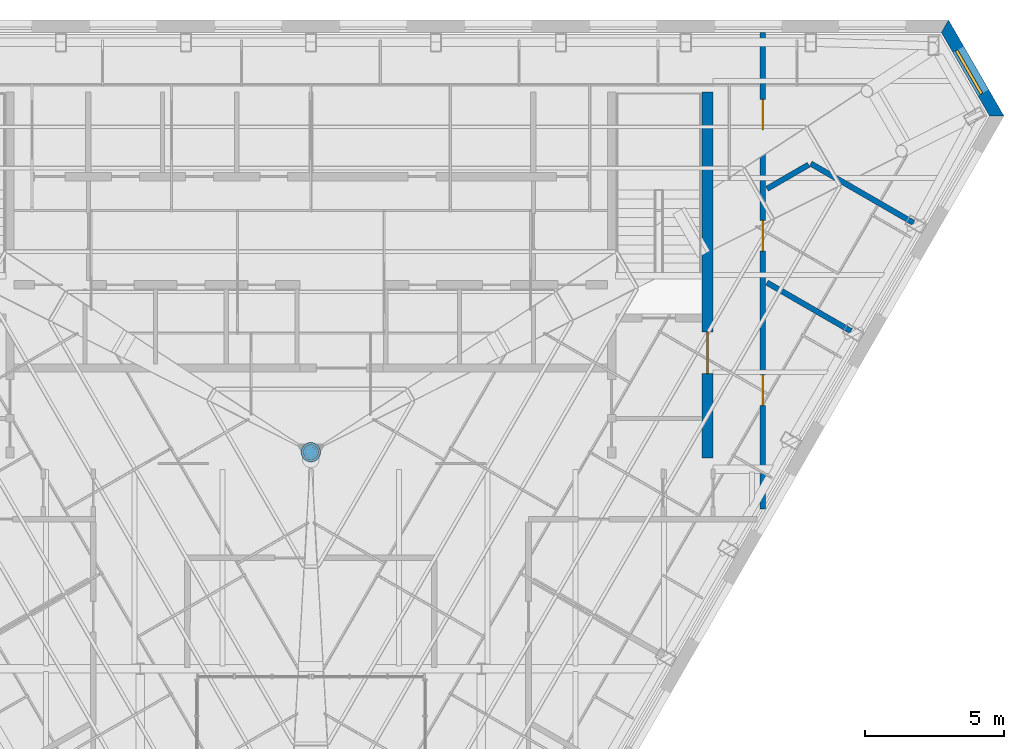
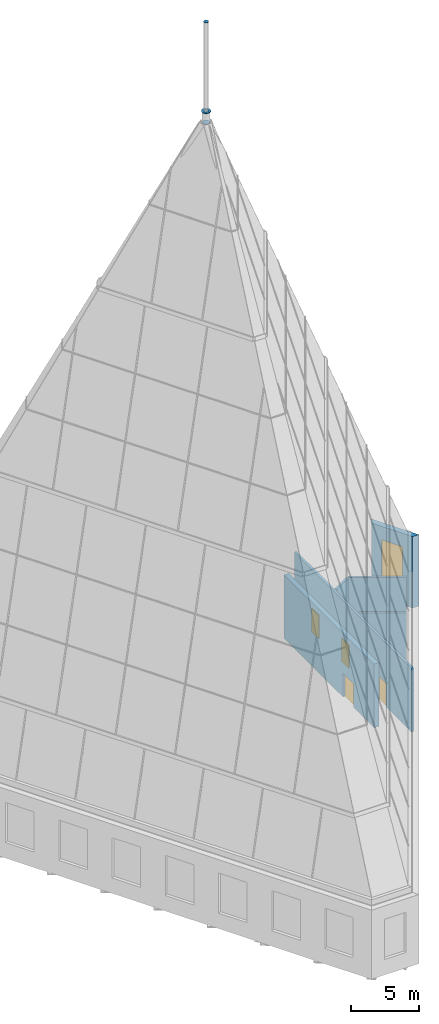
# One storey, part 33 of 36: 6 walls, 4 discrete accessories, 4 doors, 1 shading device, 5 openings.
"""IFC4 building model written with IfcOpenShell, lengths in metres."""

from ifc_helpers import new_model, si_unit, direction, frame, frame_2d, origin, place, context, subcontext, project, spatial, polyline, rectangle, outline, extrude, material, layer, layer_set, type_object, element, fill, save


model = new_model("IFC4")

# Units and contexts
model_context = context("Model", 3, precision=1e-05, world=origin(), true_north=direction((0.0, 1.0)))
body_context = subcontext(model_context, "Body", "Model", "MODEL_VIEW")
ifc_project = project(units=[si_unit("LENGTHUNIT", "METRE"), si_unit("AREAUNIT", "SQUARE_METRE"), si_unit("VOLUMEUNIT", "CUBIC_METRE"), si_unit("PLANEANGLEUNIT", "RADIAN"), si_unit("MASSUNIT", "GRAM", prefix="KILO")], contexts=[model_context])

# Site, building, storey
site_placement = place(None, origin())
site = spatial("IfcSite", under=ifc_project, at=site_placement, CompositionType="ELEMENT")
building_placement = place(site_placement, origin())
building = spatial("IfcBuilding", under=site, at=building_placement, Name="Njiva Tower", CompositionType="ELEMENT")
storey_placement = place(building_placement, frame((0.0, 0.0, 337.8)))
storey = spatial("IfcBuildingStorey", under=building, at=storey_placement, Name="L77", CompositionType="ELEMENT", Elevation=337.8)

# Wall, opening, door
ifc_material_1 = material(Name="Concrete C60/75", Category="concrete")
ifc_layer_1 = layer(ifc_material_1, 0.4)
ifc_layer_set_1 = layer_set([ifc_layer_1], Name="Concrete C60/75")
wall_type_1 = type_object("IfcWallType", Name="WT11 Core wall 400", PredefinedType="SHEAR", material=ifc_layer_set_1)
wall_1_placement = place(storey_placement, frame((14.3, 4.4, 0.0), z_axis=(0.0, 0.0, 1.0), x_axis=(0.0, 1.0, 0.0)))
wall_1 = element("IfcWall", 1, at=wall_1_placement, inside=storey, type_object=wall_type_1, Name="Core wall east", PredefinedType="SHEAR", context=body_context, shape_type="SweptSolid", body=[
    extrude(rectangle(XDim=13.2, YDim=0.4, at=frame_2d((6.6, 0.0))), origin(), (0.0, 0.0, 1.0), 5.7),
])
opening_1_placement = place(wall_1_placement, frame((3.05, 0.0, 0.0)))
opening_1 = element("IfcOpeningElement", 2, at=opening_1_placement, cuts=wall_1, Name="Opening CR-D922", PredefinedType="OPENING", context=body_context, shape_type="SweptSolid", body=[
    extrude(rectangle(XDim=1.5, YDim=2.1, at=frame_2d((0.75, 1.05))), frame((0.0, 0.21, 0.0), z_axis=(0.0, -1.0, 0.0), x_axis=(1.0, 0.0, 0.0)), (0.0, 0.0, 1.0), 0.42),
])
ifc_material_2 = material(Name="Glazed steel fire door", Category="steel")
door_type_1 = type_object("IfcDoorType", Name="D10 Exit door double 1500x2100 glazed", OperationType="DOUBLE_DOOR_SINGLE_SWING", PredefinedType="DOOR", material=ifc_material_2)
door_1_placement = place(opening_1_placement, origin())
door_1 = element("IfcDoor", 3, at=door_1_placement, inside=storey, type_object=door_type_1, Name="Stair B corridor door", OperationType="DOUBLE_DOOR_SINGLE_SWING", OverallHeight=2.1, OverallWidth=1.5, PredefinedType="DOOR", context=body_context, shape_type="SweptSolid", body=[
    extrude(rectangle(XDim=1.5, YDim=2.1, at=frame_2d((0.75, 1.05))), frame((0.0, 0.025, 0.0), z_axis=(0.0, -1.0, 0.0), x_axis=(1.0, 0.0, 0.0)), (0.0, 0.0, 1.0), 0.05),
])
fill(opening_1, door_1)

# Wall, openings, doors
ifc_material_3 = material(Name="Blockwork", Category="masonry")
ifc_layer_2 = layer(ifc_material_3, 0.2)
ifc_layer_set_2 = layer_set([ifc_layer_2], Name="Blockwork")
wall_type_2 = type_object("IfcWallType", Name="WT22 Plant room wall 200", PredefinedType="PARTITIONING", material=ifc_layer_set_2)
wall_2_placement = place(storey_placement, frame((16.3, 2.568, 0.0), z_axis=(0.0, 0.0, 1.0), x_axis=(0.0, 1.0, 0.0)))
wall_2 = element("IfcWall", 4, at=wall_2_placement, inside=storey, type_object=wall_type_2, Name="Partition CR-P024", PredefinedType="PARTITIONING", context=body_context, shape_type="SweptSolid", body=[
    extrude(rectangle(XDim=17.18, YDim=0.2, at=frame_2d((8.59, 0.0))), origin(), (0.0, 0.0, 1.0), 5.7),
])
opening_2_placement = place(wall_2_placement, frame((3.725, 0.0, 0.0)))
opening_2 = element("IfcOpeningElement", 5, at=opening_2_placement, cuts=wall_2, Name="Opening CR-D016", PredefinedType="OPENING", context=body_context, shape_type="SweptSolid", body=[
    extrude(rectangle(XDim=1.1, YDim=2.1, at=frame_2d((0.55, 1.05))), frame((0.0, 0.11, 0.0), z_axis=(0.0, -1.0, 0.0), x_axis=(1.0, 0.0, 0.0)), (0.0, 0.0, 1.0), 0.22),
])
opening_3_placement = place(wall_2_placement, frame((9.302, 0.0, 0.0)))
opening_3 = element("IfcOpeningElement", 6, at=opening_3_placement, cuts=wall_2, Name="Opening CR-D017", PredefinedType="OPENING", context=body_context, shape_type="SweptSolid", body=[
    extrude(rectangle(XDim=1.1, YDim=2.1, at=frame_2d((0.55, 1.05))), frame((0.0, 0.11, 0.0), z_axis=(0.0, -1.0, 0.0), x_axis=(1.0, 0.0, 0.0)), (0.0, 0.0, 1.0), 0.22),
])
opening_4_placement = place(wall_2_placement, frame((13.668, 0.0, 0.0)))
opening_4 = element("IfcOpeningElement", 7, at=opening_4_placement, cuts=wall_2, Name="Opening CR-D018", PredefinedType="OPENING", context=body_context, shape_type="SweptSolid", body=[
    extrude(rectangle(XDim=1.1, YDim=2.1, at=frame_2d((0.55, 1.05))), frame((0.0, 0.11, 0.0), z_axis=(0.0, -1.0, 0.0), x_axis=(1.0, 0.0, 0.0)), (0.0, 0.0, 1.0), 0.22),
])
ifc_material_4 = material(Name="Steel door set", Category="steel")
door_type_2 = type_object("IfcDoorType", Name="D34 Plant door 1100x2100", OperationType="SINGLE_SWING_LEFT", PredefinedType="DOOR", material=ifc_material_4)
door_2_placement = place(opening_2_placement, origin())
door_2 = element("IfcDoor", 8, at=door_2_placement, inside=storey, type_object=door_type_2, Name="Door CR-D016", OperationType="SINGLE_SWING_LEFT", OverallHeight=2.1, OverallWidth=1.1, PredefinedType="DOOR", context=body_context, shape_type="SweptSolid", body=[
    extrude(rectangle(XDim=1.1, YDim=2.1, at=frame_2d((0.55, 1.05))), frame((0.0, 0.025, 0.0), z_axis=(0.0, -1.0, 0.0), x_axis=(1.0, 0.0, 0.0)), (0.0, 0.0, 1.0), 0.05),
])
fill(opening_2, door_2)
door_3_placement = place(opening_3_placement, origin())
door_3 = element("IfcDoor", 9, at=door_3_placement, inside=storey, type_object=door_type_2, Name="Door CR-D017", OperationType="SINGLE_SWING_RIGHT", OverallHeight=2.1, OverallWidth=1.1, PredefinedType="DOOR", context=body_context, shape_type="SweptSolid", body=[
    extrude(rectangle(XDim=1.1, YDim=2.1, at=frame_2d((0.55, 1.05))), frame((0.0, 0.025, 0.0), z_axis=(0.0, -1.0, 0.0), x_axis=(1.0, 0.0, 0.0)), (0.0, 0.0, 1.0), 0.05),
])
fill(opening_3, door_3)
door_4_placement = place(opening_4_placement, origin())
door_4 = element("IfcDoor", 10, at=door_4_placement, inside=storey, type_object=door_type_2, Name="Door CR-D018", OperationType="SINGLE_SWING_RIGHT", OverallHeight=2.1, OverallWidth=1.1, PredefinedType="DOOR", context=body_context, shape_type="SweptSolid", body=[
    extrude(rectangle(XDim=1.1, YDim=2.1, at=frame_2d((0.55, 1.05))), frame((0.0, 0.025, 0.0), z_axis=(0.0, -1.0, 0.0), x_axis=(1.0, 0.0, 0.0)), (0.0, 0.0, 1.0), 0.05),
])
fill(opening_4, door_4)

# Walls
wall_3_placement = place(storey_placement, frame((16.45, 14.112, 0.0), z_axis=(0.0, 0.0, 1.0), x_axis=(0.866108878364, 0.499855389907, 0.0)))
element("IfcWall", 11, at=wall_3_placement, inside=storey, type_object=wall_type_2, Name="Partition CR-P025", PredefinedType="PARTITIONING", context=body_context, shape_type="SweptSolid", body=[
    extrude(rectangle(XDim=1.7365, YDim=0.2, at=frame_2d((0.8682, 0.0))), origin(), (0.0, 0.0, 1.0), 5.7),
])
wall_4_placement = place(storey_placement, frame((16.45, 10.729, 0.0), z_axis=(0.0, 0.0, 1.0), x_axis=(0.86609045941, -0.499887303419, 0.0)))
element("IfcWall", 12, at=wall_4_placement, inside=storey, type_object=wall_type_2, Name="Partition CR-P026", PredefinedType="PARTITIONING", context=body_context, shape_type="SweptSolid", body=[
    extrude(rectangle(XDim=3.5008, YDim=0.2, at=frame_2d((1.7504, 0.0))), origin(), (0.0, 0.0, 1.0), 5.7),
])
wall_5_placement = place(storey_placement, frame((18.03, 15.022, 0.0), z_axis=(0.0, 0.0, 1.0), x_axis=(0.866092194679, -0.499884296929, 0.0)))
element("IfcWall", 13, at=wall_5_placement, inside=storey, type_object=wall_type_2, Name="Partition CR-P027", PredefinedType="PARTITIONING", context=body_context, shape_type="SweptSolid", body=[
    extrude(rectangle(XDim=4.279, YDim=0.2, at=frame_2d((2.1395, 0.0))), origin(), (0.0, 0.0, 1.0), 5.7),
])

# Wall, opening, shading device
ifc_material_5 = material(Name="Brick masonry, buff", Category="masonry")
ifc_layer_3 = layer(ifc_material_5, 0.45)
ifc_layer_set_3 = layer_set([ifc_layer_3], Name="Brick masonry, buff")
wall_type_3 = type_object("IfcWallType", Name="WT94 Brick pier and spandrel wall 450, buff", PredefinedType="SOLIDWALL", material=ifc_layer_set_3)
wall_6_placement = place(storey_placement, frame((24.7402, 16.7359, -0.4), z_axis=(0.0, 0.0, 1.0), x_axis=(-0.500000951101, 0.866024854666, 0.0)))
wall_6 = element("IfcWall", 14, at=wall_6_placement, inside=storey, type_object=wall_type_3, Name="Facade wall NE", PredefinedType="SOLIDWALL", context=body_context, shape_type="SweptSolid", body=[
    extrude(outline(polyline([(-0.1299, -0.225), (3.8701, -0.225), (3.6103, 0.225), (0.1299, 0.225), (-0.1299, -0.225)])), origin(), (0.0, 0.0, 1.0), 6.4),
])
opening_5_placement = place(wall_6_placement, frame((0.9701, 0.0, 1.6)))
opening_5 = element("IfcOpeningElement", 15, at=opening_5_placement, cuts=wall_6, Name="Opening CR-LV33", PredefinedType="OPENING", context=body_context, shape_type="SweptSolid", body=[
    extrude(rectangle(XDim=1.8, YDim=3.6, at=frame_2d((0.9, 1.8))), frame((0.0, 0.235, 0.0), z_axis=(0.0, -1.0, 0.0), x_axis=(1.0, 0.0, 0.0)), (0.0, 0.0, 1.0), 0.47),
])
ifc_material_6 = material(Name="Aluminium louvre blades", Category="aluminium")
shading_device_type = type_object("IfcShadingDeviceType", Name="LV2 Plant louvre 1800x3600", PredefinedType="JALOUSIE", material=ifc_material_6)
shading_device_placement = place(opening_5_placement, origin())
shading_device = element("IfcShadingDevice", 16, at=shading_device_placement, inside=storey, type_object=shading_device_type, Name="Plant louvre", PredefinedType="JALOUSIE", context=body_context, shape_type="SweptSolid", body=[
    extrude(rectangle(XDim=1.8, YDim=3.6, at=frame_2d((0.9, 1.8))), frame((0.0, 0.125, 0.0), z_axis=(0.0, -1.0, 0.0), x_axis=(1.0, 0.0, 0.0)), (0.0, 0.0, 1.0), 0.1),
])
fill(opening_5, shading_device)

# Discrete accessories
ifc_material_7 = material(Name="Steel S355 J2", Category="steel")
ifc_layer_4 = layer(ifc_material_7, 0.03)
ifc_layer_set_4 = layer_set([ifc_layer_4], Name="Steel S355 J2")
discrete_accessory_type_1 = type_object("IfcDiscreteAccessoryType", Name="CP1 Column end cap plate 30", PredefinedType="USERDEFINED", material=ifc_layer_set_4)
discrete_accessory_1_placement = place(storey_placement, frame((0.0, 4.6115, 68.0)))
element("IfcDiscreteAccessory", 17, at=discrete_accessory_1_placement, inside=storey, type_object=discrete_accessory_type_1, Name="Column end cap plate CR-CP01", ObjectType="END PLATE", PredefinedType="USERDEFINED", context=body_context, shape_type="SweptSolid", body=[
    extrude(outline(polyline([(0.1778, 0.0), (0.1751, 0.0309), (0.1671, 0.0609), (0.154, 0.0889), (0.1362, 0.1143), (0.1143, 0.1362), (0.0889, 0.154), (0.0608, 0.1671), (0.0309, 0.1751), (0.0, 0.1778), (-0.0309, 0.1751), (-0.0608, 0.1671), (-0.0889, 0.154), (-0.1143, 0.1362), (-0.1362, 0.1143), (-0.154, 0.0889), (-0.1671, 0.0609), (-0.1751, 0.0309), (-0.1778, 0.0), (-0.1751, -0.0308), (-0.1671, -0.0608), (-0.154, -0.0889), (-0.1362, -0.1142), (-0.1143, -0.1362), (-0.0889, -0.1539), (-0.0608, -0.167), (-0.0309, -0.1751), (0.0, -0.1778), (0.0309, -0.1751), (0.0608, -0.167), (0.0889, -0.1539), (0.1143, -0.1362), (0.1362, -0.1142), (0.154, -0.0889), (0.1671, -0.0608), (0.1751, -0.0308), (0.1778, 0.0)])), origin(), (0.0, 0.0, 1.0), 0.03),
])
ifc_layer_5 = layer(ifc_material_7, 0.02)
ifc_layer_set_5 = layer_set([ifc_layer_5], Name="Steel S355 J2")
discrete_accessory_type_2 = type_object("IfcDiscreteAccessoryType", Name="DP1 Spire diaphragm plate at the hips 20", PredefinedType="USERDEFINED", material=ifc_layer_set_5)
discrete_accessory_2_placement = place(storey_placement, frame((0.0, 4.6115, 58.997)))
element("IfcDiscreteAccessory", 18, at=discrete_accessory_2_placement, inside=storey, type_object=discrete_accessory_type_2, Name="Spire diaphragm plate at the hips CR-DP01", ObjectType="DIAPHRAGM PLATE", PredefinedType="USERDEFINED", context=body_context, shape_type="SweptSolid", body=[
    extrude(outline(polyline([(0.278, 0.0), (0.2769, 0.0243), (0.2738, 0.0483), (0.2685, 0.072), (0.2612, 0.0951), (0.252, 0.1175), (0.2408, 0.139), (0.2277, 0.1595), (0.213, 0.1787), (0.1966, 0.1966), (0.1787, 0.213), (0.1595, 0.2278), (0.139, 0.2408), (0.1175, 0.252), (0.0951, 0.2613), (0.072, 0.2686), (0.0483, 0.2738), (0.0242, 0.277), (0.0, 0.278), (-0.0242, 0.277), (-0.0483, 0.2738), (-0.072, 0.2686), (-0.0951, 0.2613), (-0.1175, 0.252), (-0.139, 0.2408), (-0.1595, 0.2278), (-0.1787, 0.213), (-0.1966, 0.1966), (-0.213, 0.1787), (-0.2277, 0.1595), (-0.2408, 0.139), (-0.252, 0.1175), (-0.2612, 0.0951), (-0.2685, 0.072), (-0.2738, 0.0483), (-0.2769, 0.0243), (-0.278, 0.0), (-0.2769, -0.0242), (-0.2738, -0.0482), (-0.2685, -0.0719), (-0.2612, -0.095), (-0.252, -0.1174), (-0.2408, -0.139), (-0.2277, -0.1594), (-0.213, -0.1787), (-0.1966, -0.1965), (-0.1787, -0.2129), (-0.1595, -0.2277), (-0.139, -0.2407), (-0.1175, -0.2519), (-0.0951, -0.2612), (-0.072, -0.2685), (-0.0483, -0.2737), (-0.0242, -0.2769), (0.0, -0.278), (0.0242, -0.2769), (0.0483, -0.2737), (0.072, -0.2685), (0.0951, -0.2612), (0.1175, -0.2519), (0.139, -0.2407), (0.1595, -0.2277), (0.1787, -0.2129), (0.1966, -0.1965), (0.213, -0.1787), (0.2277, -0.1594), (0.2408, -0.139), (0.252, -0.1174), (0.2612, -0.095), (0.2685, -0.0719), (0.2738, -0.0482), (0.2769, -0.0242), (0.278, 0.0)])), origin(), (0.0, 0.0, 1.0), 0.02),
])
ifc_layer_6 = layer(ifc_material_7, 0.03)
ifc_layer_set_6 = layer_set([ifc_layer_6], Name="Steel S355 J2")
discrete_accessory_type_3 = type_object("IfcDiscreteAccessoryType", Name="DP2 Spire diaphragm plate under the flange 30", PredefinedType="USERDEFINED", material=ifc_layer_set_6)
discrete_accessory_3_placement = place(storey_placement, frame((0.0, 4.6115, 59.97)))
element("IfcDiscreteAccessory", 19, at=discrete_accessory_3_placement, inside=storey, type_object=discrete_accessory_type_3, Name="Spire diaphragm plate under the flange CR-DP02", ObjectType="DIAPHRAGM PLATE", PredefinedType="USERDEFINED", context=body_context, shape_type="SweptSolid", body=[
    extrude(outline(polyline([(0.278, 0.0), (0.2769, 0.0243), (0.2738, 0.0483), (0.2685, 0.072), (0.2612, 0.0951), (0.252, 0.1175), (0.2408, 0.139), (0.2277, 0.1595), (0.213, 0.1787), (0.1966, 0.1966), (0.1787, 0.213), (0.1595, 0.2278), (0.139, 0.2408), (0.1175, 0.252), (0.0951, 0.2613), (0.072, 0.2686), (0.0483, 0.2738), (0.0242, 0.277), (0.0, 0.278), (-0.0242, 0.277), (-0.0483, 0.2738), (-0.072, 0.2686), (-0.0951, 0.2613), (-0.1175, 0.252), (-0.139, 0.2408), (-0.1595, 0.2278), (-0.1787, 0.213), (-0.1966, 0.1966), (-0.213, 0.1787), (-0.2277, 0.1595), (-0.2408, 0.139), (-0.252, 0.1175), (-0.2612, 0.0951), (-0.2685, 0.072), (-0.2738, 0.0483), (-0.2769, 0.0243), (-0.278, 0.0), (-0.2769, -0.0242), (-0.2738, -0.0482), (-0.2685, -0.0719), (-0.2612, -0.095), (-0.252, -0.1174), (-0.2408, -0.139), (-0.2277, -0.1594), (-0.213, -0.1787), (-0.1966, -0.1965), (-0.1787, -0.2129), (-0.1595, -0.2277), (-0.139, -0.2407), (-0.1175, -0.2519), (-0.0951, -0.2612), (-0.072, -0.2685), (-0.0483, -0.2737), (-0.0242, -0.2769), (0.0, -0.278), (0.0242, -0.2769), (0.0483, -0.2737), (0.072, -0.2685), (0.0951, -0.2612), (0.1175, -0.2519), (0.139, -0.2407), (0.1595, -0.2277), (0.1787, -0.2129), (0.1966, -0.1965), (0.213, -0.1787), (0.2277, -0.1594), (0.2408, -0.139), (0.252, -0.1174), (0.2612, -0.095), (0.2685, -0.0719), (0.2738, -0.0482), (0.2769, -0.0242), (0.278, 0.0)])), origin(), (0.0, 0.0, 1.0), 0.03),
])
ifc_layer_7 = layer(ifc_material_7, 0.04)
ifc_layer_set_7 = layer_set([ifc_layer_7], Name="Steel S355 J2")
discrete_accessory_type_4 = type_object("IfcDiscreteAccessoryType", Name="FP1 Spire flange plate 40", PredefinedType="USERDEFINED", material=ifc_layer_set_7)
discrete_accessory_4_placement = place(storey_placement, frame((0.0, 4.6115, 60.0)))
element("IfcDiscreteAccessory", 20, at=discrete_accessory_4_placement, inside=storey, type_object=discrete_accessory_type_4, Name="Spire flange plate CR-FP01", ObjectType="FLANGE PLATE", PredefinedType="USERDEFINED", context=body_context, shape_type="SweptSolid", body=[
    extrude(outline(polyline([(0.35, 0.0), (0.3487, 0.0305), (0.3447, 0.0608), (0.3381, 0.0906), (0.3289, 0.1197), (0.3172, 0.148), (0.3031, 0.175), (0.2867, 0.2008), (0.2681, 0.225), (0.2475, 0.2475), (0.225, 0.2682), (0.2008, 0.2867), (0.175, 0.3032), (0.1479, 0.3173), (0.1197, 0.3289), (0.0906, 0.3381), (0.0608, 0.3447), (0.0305, 0.3487), (0.0, 0.35), (-0.0305, 0.3487), (-0.0608, 0.3447), (-0.0906, 0.3381), (-0.1197, 0.3289), (-0.1479, 0.3173), (-0.175, 0.3032), (-0.2008, 0.2867), (-0.225, 0.2682), (-0.2475, 0.2475), (-0.2681, 0.225), (-0.2867, 0.2008), (-0.3031, 0.175), (-0.3172, 0.148), (-0.3289, 0.1197), (-0.3381, 0.0906), (-0.3447, 0.0608), (-0.3487, 0.0305), (-0.35, 0.0), (-0.3487, -0.0305), (-0.3447, -0.0607), (-0.3381, -0.0905), (-0.3289, -0.1197), (-0.3172, -0.1479), (-0.3031, -0.175), (-0.2867, -0.2007), (-0.2681, -0.2249), (-0.2475, -0.2474), (-0.225, -0.2681), (-0.2008, -0.2867), (-0.175, -0.3031), (-0.1479, -0.3172), (-0.1197, -0.3288), (-0.0906, -0.338), (-0.0608, -0.3446), (-0.0305, -0.3486), (0.0, -0.35), (0.0305, -0.3486), (0.0608, -0.3446), (0.0906, -0.338), (0.1197, -0.3288), (0.1479, -0.3172), (0.175, -0.3031), (0.2008, -0.2867), (0.225, -0.2681), (0.2475, -0.2474), (0.2681, -0.2249), (0.2867, -0.2007), (0.3031, -0.175), (0.3172, -0.1479), (0.3289, -0.1197), (0.3381, -0.0905), (0.3447, -0.0607), (0.3487, -0.0305), (0.35, 0.0)]), holes=[polyline([(0.178, 0.0), (0.1773, 0.0156), (0.1753, 0.0309), (0.1719, 0.0461), (0.1672, 0.0609), (0.1613, 0.0753), (0.1541, 0.089), (0.1458, 0.1021), (0.1363, 0.1144), (0.1258, 0.1259), (0.1144, 0.1364), (0.1021, 0.1458), (0.089, 0.1542), (0.0752, 0.1613), (0.0609, 0.1673), (0.0461, 0.1719), (0.0309, 0.1753), (0.0155, 0.1773), (0.0, 0.178), (-0.0155, 0.1773), (-0.0309, 0.1753), (-0.0461, 0.1719), (-0.0609, 0.1673), (-0.0752, 0.1613), (-0.089, 0.1542), (-0.1021, 0.1458), (-0.1144, 0.1364), (-0.1258, 0.1259), (-0.1363, 0.1144), (-0.1458, 0.1021), (-0.1541, 0.089), (-0.1613, 0.0753), (-0.1672, 0.0609), (-0.1719, 0.0461), (-0.1753, 0.0309), (-0.1773, 0.0156), (-0.178, 0.0), (-0.1773, -0.0155), (-0.1753, -0.0309), (-0.1719, -0.046), (-0.1672, -0.0608), (-0.1613, -0.0752), (-0.1541, -0.0889), (-0.1458, -0.102), (-0.1363, -0.1144), (-0.1258, -0.1258), (-0.1144, -0.1363), (-0.1021, -0.1457), (-0.089, -0.1541), (-0.0752, -0.1613), (-0.0609, -0.1672), (-0.0461, -0.1719), (-0.0309, -0.1752), (-0.0155, -0.1772), (0.0, -0.1779), (0.0155, -0.1772), (0.0309, -0.1752), (0.0461, -0.1719), (0.0609, -0.1672), (0.0752, -0.1613), (0.089, -0.1541), (0.1021, -0.1457), (0.1144, -0.1363), (0.1258, -0.1258), (0.1363, -0.1144), (0.1458, -0.102), (0.1541, -0.0889), (0.1613, -0.0752), (0.1672, -0.0608), (0.1719, -0.046), (0.1753, -0.0309), (0.1773, -0.0155), (0.178, 0.0)])]), origin(), (0.0, 0.0, 1.0), 0.04),
])

save(model, "model.ifc")
